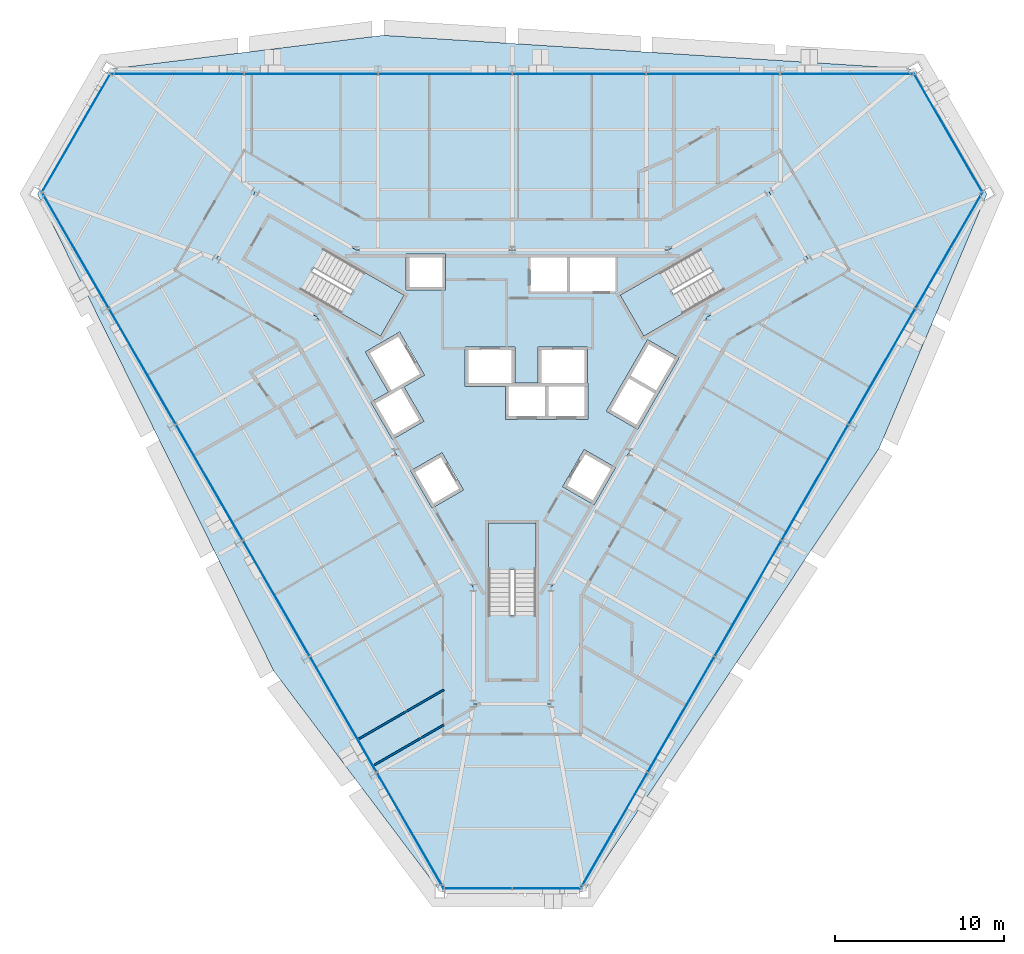
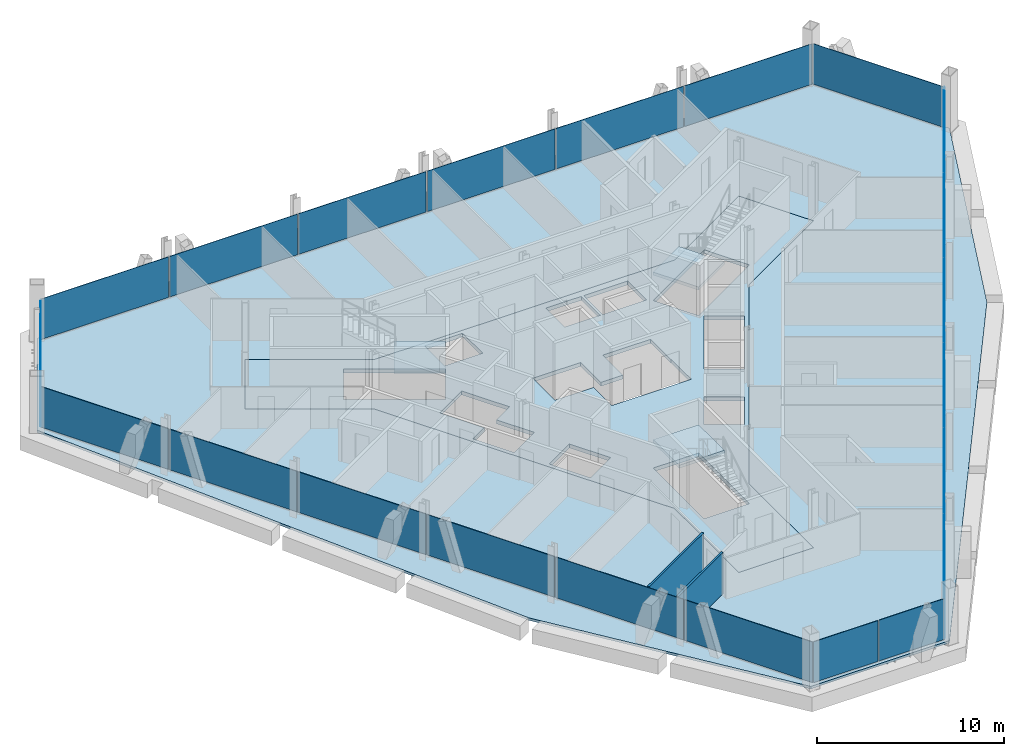
# One storey, part 8 of 14: 22 plates, 5 slabs, 2 walls, 9 elements without a shape of their own.
"""IFC4 building model written with IfcOpenShell, lengths in metres."""

from ifc_helpers import new_model, si_unit, direction, frame, frame_2d, origin, origin_2d, place, context, subcontext, project, spatial, polyline, rectangle, outline, extrude, material, layer, layer_set, type_object, element, aggregate, save


model = new_model("IFC4")

# Units and contexts
model_context = context("Model", 3, precision=1e-05, world=origin(), true_north=direction((0.0, 1.0)))
body_context = subcontext(model_context, "Body", "Model", "MODEL_VIEW")
ifc_project = project(units=[si_unit("LENGTHUNIT", "METRE"), si_unit("AREAUNIT", "SQUARE_METRE"), si_unit("VOLUMEUNIT", "CUBIC_METRE"), si_unit("PLANEANGLEUNIT", "RADIAN"), si_unit("MASSUNIT", "GRAM", prefix="KILO")], contexts=[model_context])

# Site, building, storey
site_placement = place(None, origin())
site = spatial("IfcSite", under=ifc_project, at=site_placement, CompositionType="ELEMENT")
building_placement = place(site_placement, origin())
building = spatial("IfcBuilding", under=site, at=building_placement, Name="Verrane Prism Tower", CompositionType="ELEMENT")
storey_placement = place(building_placement, frame((0.0, 0.0, 193.199951171875)))
storey = spatial("IfcBuildingStorey", under=building, at=storey_placement, Name="L48", CompositionType="ELEMENT", Elevation=193.199951171875)

# Slabs
ifc_material_1 = material(Name="Concrete C35/45", Category="concrete")
ifc_layer_1 = layer(ifc_material_1, 0.159912109375)
ifc_layer_set_1 = layer_set([ifc_layer_1], Name="Composite floor slab")
slab_type_1 = type_object("IfcSlabType", Name="Composite floor slab", PredefinedType="FLOOR", material=ifc_layer_set_1)
slab_1_placement = place(storey_placement, frame((0.0, 0.0, -0.159912109375)))
element("IfcSlab", 1, at=slab_1_placement, inside=storey, type_object=slab_type_1, Name="Floor slab L48", PredefinedType="FLOOR", context=body_context, shape_type="SweptSolid", body=[
    extrude(outline(polyline([(21.75244140625, -3.74365234375), (4.27490234375, -30.015380859375), (-4.27490234375, -30.015380859375), (-14.118408203125, -16.96630859375), (-28.131591796875, 11.305419921875), (-23.856689453125, 18.7099609375), (-7.634033203125, 20.7099609375), (23.856689453125, 18.7099609375), (28.131591796875, 11.305419921875), (21.75244140625, -3.74365234375)]), holes=[polyline([(17.52001953125, 7.4599609375), (15.219970703125, 11.43994140625), (9.260009765625, 8.0), (0.0, 8.0), (-9.260009765625, 8.0), (-15.219970703125, 11.43994140625), (-17.52001953125, 7.4599609375), (-11.56005859375, 4.02001953125), (-6.929931640625, -4.0), (-2.300048828125, -12.02001953125), (-2.300048828125, -18.89990234375), (2.300048828125, -18.89990234375), (2.300048828125, -12.02001953125), (6.929931640625, -4.0), (11.56005859375, 4.02001953125), (17.52001953125, 7.4599609375)])]), origin(), (0.0, 0.0, 1.0), 0.159912109375),
])
ifc_material_2 = material(Name="Concrete C40/50", Category="concrete")
ifc_layer_2 = layer(ifc_material_2, 0.25)
ifc_layer_set_2 = layer_set([ifc_layer_2], Name="Core floor slab 250 concrete C40/50")
slab_type_2 = type_object("IfcSlabType", Name="Core floor slab 250 concrete C40/50", PredefinedType="FLOOR", material=ifc_layer_set_2)
slab_2_placement = place(storey_placement, frame((0.0, 0.0, -0.25)))
element("IfcSlab", 2, at=slab_2_placement, inside=storey, type_object=slab_type_2, Name="Core floor L48", PredefinedType="FLOOR", context=body_context, shape_type="SweptSolid", body=[
    extrude(outline(polyline([(11.56005859375, 4.02001953125), (17.52001953125, 7.4599609375), (15.219970703125, 11.43994140625), (9.260009765625, 8.0), (0.0, 8.0), (-9.260009765625, 8.0), (-15.219970703125, 11.43994140625), (-17.52001953125, 7.4599609375), (-11.56005859375, 4.02001953125), (-6.929931640625, -4.0), (-2.300048828125, -12.02001953125), (-2.300048828125, -18.89990234375), (2.300048828125, -18.89990234375), (2.300048828125, -12.02001953125), (6.929931640625, -4.0), (11.56005859375, 4.02001953125)]), holes=[polyline([(1.39990234375, -8.199951171875), (1.39990234375, -13.639892578125), (-1.39990234375, -13.639892578125), (-1.39990234375, -8.199951171875), (1.39990234375, -8.199951171875)]), polyline([(-2.881103515625, -6.22998046875), (-4.742919921875, -7.304931640625), (-6.01806640625, -5.096923828125), (-4.156005859375, -4.02197265625), (-2.881103515625, -6.22998046875)]), polyline([(-7.801025390625, 2.887939453125), (-12.512939453125, 5.60791015625), (-11.113037109375, 8.031982421875), (-6.40087890625, 5.31201171875), (-7.801025390625, 2.887939453125)]), polyline([(-6.284912109375, 5.610107421875), (-6.284912109375, 7.760009765625), (-3.93505859375, 7.760009765625), (-3.93505859375, 5.610107421875), (-6.284912109375, 5.610107421875)]), polyline([(4.26611328125, -3.8310546875), (6.1279296875, -4.906005859375), (4.85302734375, -7.114990234375), (2.990966796875, -6.0400390625), (4.26611328125, -3.8310546875)]), polyline([(7.43798828125, -2.636962890625), (5.575927734375, -1.56201171875), (8.02587890625, 2.680908203125), (9.887939453125, 1.60595703125), (7.43798828125, -2.636962890625)]), polyline([(0.1650390625, 0.10009765625), (1.52490234375, 0.10009765625), (1.52490234375, 2.25), (4.47509765625, 2.25), (4.47509765625, 0.10009765625), (4.4951171875, 0.10009765625), (4.4951171875, -2.050048828125), (-0.405029296875, -2.050048828125), (-0.405029296875, -0.10009765625), (-2.784912109375, -0.10009765625), (-2.784912109375, 2.25), (0.1650390625, 2.25), (0.1650390625, 0.10009765625)]), polyline([(6.40087890625, 5.31201171875), (11.113037109375, 8.031982421875), (12.512939453125, 5.60791015625), (7.801025390625, 2.887939453125), (6.40087890625, 5.31201171875)]), polyline([(1.074951171875, 5.534912109375), (1.074951171875, 7.56005859375), (3.264892578125, 7.56005859375), (3.264892578125, 5.534912109375), (1.074951171875, 5.534912109375)]), polyline([(3.4150390625, 7.56005859375), (6.125, 7.56005859375), (6.125, 5.534912109375), (3.4150390625, 5.534912109375), (3.4150390625, 7.56005859375)]), polyline([(-5.23095703125, -2.159912109375), (-7.093017578125, -3.235107421875), (-8.367919921875, -1.02587890625), (-7.3291015625, -0.426025390625), (-8.7041015625, 1.955078125), (-6.66796875, 3.1298828125), (-5.193115234375, 0.574951171875), (-6.406005859375, -0.125), (-5.23095703125, -2.159912109375)])]), origin(), (0.0, 0.0, 1.0), 0.25),
])

# Curtain wall, plates
ifc_material_3 = material(Name="Aluminium framed insulated glazing", Category="aluminium")
curtain_wall_type_1 = type_object("IfcCurtainWallType", Name="Curtain wall CW-C 4200 module", PredefinedType="NOTDEFINED", material=ifc_material_3)
curtain_wall_1_placement = place(storey_placement, origin())
curtain_wall_1 = element("IfcCurtainWall", 3, at=curtain_wall_1_placement, inside=storey, type_object=curtain_wall_type_1, Name="Glazed curtain wall south corner L48", PredefinedType="NOTDEFINED")
ifc_material_4 = material(Name="Low-iron insulating glass unit", Category="glass")
ifc_layer_3 = layer(ifc_material_4, 0.02392578125)
ifc_layer_set_3 = layer_set([ifc_layer_3], Name="Glazing panel IGU 24")
plate_type_1 = type_object("IfcPlateType", Name="Glazing panel IGU 24", PredefinedType="CURTAIN_PANEL", material=ifc_layer_set_3)
plate_1_placement = place(storey_placement, frame((-2.01513671875, -29.838134765625, 0.05029296875), z_axis=(0.0, 0.0, 1.0), x_axis=(1.0, 0.0, 0.0)))
plate_1 = element("IfcPlate", 4, at=plate_1_placement, type_object=plate_type_1, Name="CW47.5 panel 1", PredefinedType="CURTAIN_PANEL", context=body_context, shape_type="SweptSolid", body=[
    extrude(rectangle(XDim=3.980224609375, YDim=0.02392578125, at=origin_2d()), origin(), (0.0, 0.0, 1.0), 2.662841796875),
])
plate_2_placement = place(storey_placement, frame((2.0400390625, -29.838134765625, 0.05029296875), z_axis=(0.0, 0.0, 1.0), x_axis=(1.0, 0.0, 0.0)))
plate_2 = element("IfcPlate", 5, at=plate_2_placement, type_object=plate_type_1, Name="CW47.5 panel 2", PredefinedType="CURTAIN_PANEL", context=body_context, shape_type="SweptSolid", body=[
    extrude(rectangle(XDim=4.0302734375, YDim=0.02392578125, at=origin_2d()), origin(), (0.0, 0.0, 1.0), 2.662841796875),
])
aggregate(curtain_wall_1, [plate_1, plate_2])

# Curtain wall, plate
ifc_material_5 = material(Name="Aluminium framed insulated glazing", Category="aluminium")
curtain_wall_type_2 = type_object("IfcCurtainWallType", Name="Curtain wall CW-B 5600 module", PredefinedType="NOTDEFINED", material=ifc_material_5)
curtain_wall_2_placement = place(storey_placement, origin())
curtain_wall_2 = element("IfcCurtainWall", 6, at=curtain_wall_2_placement, inside=storey, type_object=curtain_wall_type_2, Name="Glazed curtain wall north-west corner L48", PredefinedType="NOTDEFINED")
ifc_material_6 = material(Name="Low-iron insulating glass unit", Category="glass")
ifc_layer_4 = layer(ifc_material_6, 0.028076171875)
ifc_layer_set_4 = layer_set([ifc_layer_4], Name="Glazing panel IGU 28")
plate_type_2 = type_object("IfcPlateType", Name="Glazing panel IGU 28", PredefinedType="CURTAIN_PANEL", material=ifc_layer_set_4)
plate_3_placement = place(storey_placement, frame((-25.85546875, 14.89306640625, 0.06005859375), z_axis=(0.0, 0.0, 1.0), x_axis=(-0.500004572218, -0.866022763997, 0.0)))
plate_3 = element("IfcPlate", 7, at=plate_3_placement, type_object=plate_type_2, Name="CW47.3 panel 1", PredefinedType="CURTAIN_PANEL", context=body_context, shape_type="SweptSolid", body=[
    extrude(rectangle(XDim=8.050537109375, YDim=0.028076171875, at=origin_2d()), origin(), (0.0, 0.0, 1.0), 2.65283203125),
])
aggregate(curtain_wall_2, [plate_3])

ifc_material_7 = material(Name="Aluminium framed insulated glazing", Category="aluminium")
curtain_wall_type_3 = type_object("IfcCurtainWallType", Name="Curtain wall CW-A 8400 module", PredefinedType="NOTDEFINED", material=ifc_material_7)
curtain_wall_3_placement = place(storey_placement, origin())
curtain_wall_3 = element("IfcCurtainWall", 8, at=curtain_wall_3_placement, inside=storey, type_object=curtain_wall_type_3, Name="Glazed curtain wall north-east corner L48", PredefinedType="NOTDEFINED")
ifc_material_8 = material(Name="Low-iron insulating glass unit", Category="glass")
ifc_layer_5 = layer(ifc_material_8, 0.031982421875)
ifc_layer_set_5 = layer_set([ifc_layer_5], Name="Glazing panel IGU 32")
plate_type_3 = type_object("IfcPlateType", Name="Glazing panel IGU 32", PredefinedType="CURTAIN_PANEL", material=ifc_layer_set_5)
plate_4_placement = place(storey_placement, frame((25.822998046875, 14.949462890625, 0.0703125), z_axis=(0.0, 0.0, 1.0), x_axis=(-0.500004572218, 0.866022763997, 0.0)))
plate_4 = element("IfcPlate", 9, at=plate_4_placement, type_object=plate_type_3, Name="CW47.1 panel 1", PredefinedType="CURTAIN_PANEL", context=body_context, shape_type="SweptSolid", body=[
    extrude(rectangle(XDim=8.04052734375, YDim=0.031982421875, at=origin_2d()), origin(), (0.0, 0.0, 1.0), 2.642822265625),
])
aggregate(curtain_wall_3, [plate_4])

# Curtain wall, plates
curtain_wall_4_placement = place(storey_placement, origin())
curtain_wall_4 = element("IfcCurtainWall", 10, at=curtain_wall_4_placement, inside=storey, type_object=curtain_wall_type_3, Name="Glazed curtain wall north face L48", PredefinedType="NOTDEFINED")
plate_5_placement = place(storey_placement, frame((19.82666015625, 18.430908203125, 0.0703125), z_axis=(0.0, 0.0, 1.0), x_axis=(-1.0, 0.0, 0.0)))
plate_5 = element("IfcPlate", 11, at=plate_5_placement, type_object=plate_type_3, Name="CW47.2 panel 1", PredefinedType="CURTAIN_PANEL", context=body_context, shape_type="SweptSolid", body=[
    extrude(rectangle(XDim=7.83251953125, YDim=0.031982421875, at=origin_2d()), origin(), (0.0, 0.0, 1.0), 2.642822265625),
])
plate_6_placement = place(storey_placement, frame((11.906494140625, 18.430908203125, 0.0703125), z_axis=(0.0, 0.0, 1.0), x_axis=(-1.0, 0.0, 0.0)))
plate_6 = element("IfcPlate", 12, at=plate_6_placement, type_object=plate_type_3, Name="CW47.2 panel 2", PredefinedType="CURTAIN_PANEL", context=body_context, shape_type="SweptSolid", body=[
    extrude(rectangle(XDim=7.86767578125, YDim=0.031982421875, at=origin_2d()), origin(), (0.0, 0.0, 1.0), 2.642822265625),
])
plate_7_placement = place(storey_placement, frame((3.96875, 18.430908203125, 0.0703125), z_axis=(0.0, 0.0, 1.0), x_axis=(-1.0, 0.0, 0.0)))
plate_7 = element("IfcPlate", 13, at=plate_7_placement, type_object=plate_type_3, Name="CW47.2 panel 3", PredefinedType="CURTAIN_PANEL", context=body_context, shape_type="SweptSolid", body=[
    extrude(rectangle(XDim=7.86767578125, YDim=0.031982421875, at=origin_2d()), origin(), (0.0, 0.0, 1.0), 2.642822265625),
])
plate_8_placement = place(storey_placement, frame((-3.96875, 18.430908203125, 0.0703125), z_axis=(0.0, 0.0, 1.0), x_axis=(-1.0, 0.0, 0.0)))
plate_8 = element("IfcPlate", 14, at=plate_8_placement, type_object=plate_type_3, Name="CW47.2 panel 4", PredefinedType="CURTAIN_PANEL", context=body_context, shape_type="SweptSolid", body=[
    extrude(rectangle(XDim=7.86767578125, YDim=0.031982421875, at=origin_2d()), origin(), (0.0, 0.0, 1.0), 2.642822265625),
])
plate_9_placement = place(storey_placement, frame((-11.906494140625, 18.430908203125, 0.0703125), z_axis=(0.0, 0.0, 1.0), x_axis=(-1.0, 0.0, 0.0)))
plate_9 = element("IfcPlate", 15, at=plate_9_placement, type_object=plate_type_3, Name="CW47.2 panel 5", PredefinedType="CURTAIN_PANEL", context=body_context, shape_type="SweptSolid", body=[
    extrude(rectangle(XDim=7.86767578125, YDim=0.031982421875, at=origin_2d()), origin(), (0.0, 0.0, 1.0), 2.642822265625),
])
plate_10_placement = place(storey_placement, frame((-19.861572265625, 18.430908203125, 0.0703125), z_axis=(0.0, 0.0, 1.0), x_axis=(-1.0, 0.0, 0.0)))
plate_10 = element("IfcPlate", 16, at=plate_10_placement, type_object=plate_type_3, Name="CW47.2 panel 6", PredefinedType="CURTAIN_PANEL", context=body_context, shape_type="SweptSolid", body=[
    extrude(rectangle(XDim=7.902587890625, YDim=0.031982421875, at=origin_2d()), origin(), (0.0, 0.0, 1.0), 2.642822265625),
])
aggregate(curtain_wall_4, [plate_5, plate_6, plate_7, plate_8, plate_9, plate_10])

curtain_wall_5_placement = place(storey_placement, origin())
curtain_wall_5 = element("IfcCurtainWall", 17, at=curtain_wall_5_placement, inside=storey, type_object=curtain_wall_type_3, Name="Glazed curtain wall south-west face L48", PredefinedType="NOTDEFINED")
plate_11_placement = place(storey_placement, frame((-25.875, 7.954833984375, 0.0703125), z_axis=(0.0, 0.0, 1.0), x_axis=(0.499999569721, -0.866025652206, 0.0)))
plate_11 = element("IfcPlate", 18, at=plate_11_placement, type_object=plate_type_3, Name="CW47.4 panel 1", PredefinedType="CURTAIN_PANEL", context=body_context, shape_type="SweptSolid", body=[
    extrude(rectangle(XDim=7.83251953125, YDim=0.031982421875, at=origin_2d()), origin(), (0.0, 0.0, 1.0), 2.642822265625),
])
plate_12_placement = place(storey_placement, frame((-21.9150390625, 1.095703125, 0.0703125), z_axis=(0.0, 0.0, 1.0), x_axis=(0.499999569721, -0.866025652206, 0.0)))
plate_12 = element("IfcPlate", 19, at=plate_12_placement, type_object=plate_type_3, Name="CW47.4 panel 2", PredefinedType="CURTAIN_PANEL", context=body_context, shape_type="SweptSolid", body=[
    extrude(rectangle(XDim=7.86767578125, YDim=0.031982421875, at=origin_2d()), origin(), (0.0, 0.0, 1.0), 2.642822265625),
])
plate_13_placement = place(storey_placement, frame((-17.946044921875, -5.7783203125, 0.0703125), z_axis=(0.0, 0.0, 1.0), x_axis=(0.499999569721, -0.866025652206, 0.0)))
plate_13 = element("IfcPlate", 20, at=plate_13_placement, type_object=plate_type_3, Name="CW47.4 panel 3", PredefinedType="CURTAIN_PANEL", context=body_context, shape_type="SweptSolid", body=[
    extrude(rectangle(XDim=7.86767578125, YDim=0.031982421875, at=origin_2d()), origin(), (0.0, 0.0, 1.0), 2.642822265625),
])
plate_14_placement = place(storey_placement, frame((-13.977294921875, -12.652587890625, 0.0703125), z_axis=(0.0, 0.0, 1.0), x_axis=(0.499999569721, -0.866025652206, 0.0)))
plate_14 = element("IfcPlate", 21, at=plate_14_placement, type_object=plate_type_3, Name="CW47.4 panel 4", PredefinedType="CURTAIN_PANEL", context=body_context, shape_type="SweptSolid", body=[
    extrude(rectangle(XDim=7.86767578125, YDim=0.031982421875, at=origin_2d()), origin(), (0.0, 0.0, 1.0), 2.642822265625),
])
plate_15_placement = place(storey_placement, frame((-10.008544921875, -19.52685546875, 0.0703125), z_axis=(0.0, 0.0, 1.0), x_axis=(0.499999569721, -0.866025652206, 0.0)))
plate_15 = element("IfcPlate", 22, at=plate_15_placement, type_object=plate_type_3, Name="CW47.4 panel 5", PredefinedType="CURTAIN_PANEL", context=body_context, shape_type="SweptSolid", body=[
    extrude(rectangle(XDim=7.86767578125, YDim=0.031982421875, at=origin_2d()), origin(), (0.0, 0.0, 1.0), 2.642822265625),
])
plate_16_placement = place(storey_placement, frame((-6.031005859375, -26.416259765625, 0.0703125), z_axis=(0.0, 0.0, 1.0), x_axis=(0.499999569721, -0.866025652206, 0.0)))
plate_16 = element("IfcPlate", 23, at=plate_16_placement, type_object=plate_type_3, Name="CW47.4 panel 6", PredefinedType="CURTAIN_PANEL", context=body_context, shape_type="SweptSolid", body=[
    extrude(rectangle(XDim=7.902587890625, YDim=0.031982421875, at=origin_2d()), origin(), (0.0, 0.0, 1.0), 2.642822265625),
])
aggregate(curtain_wall_5, [plate_11, plate_12, plate_13, plate_14, plate_15, plate_16])

curtain_wall_6_placement = place(storey_placement, origin())
curtain_wall_6 = element("IfcCurtainWall", 24, at=curtain_wall_6_placement, inside=storey, type_object=curtain_wall_type_3, Name="Glazed curtain wall south-east face L48", PredefinedType="NOTDEFINED")
plate_17_placement = place(storey_placement, frame((6.04833984375, -26.3857421875, 0.0703125), z_axis=(0.0, 0.0, 1.0), x_axis=(0.499999569721, 0.866025652206, 0.0)))
plate_17 = element("IfcPlate", 25, at=plate_17_placement, type_object=plate_type_3, Name="CW47.6 panel 1", PredefinedType="CURTAIN_PANEL", context=body_context, shape_type="SweptSolid", body=[
    extrude(rectangle(XDim=7.83251953125, YDim=0.031982421875, at=origin_2d()), origin(), (0.0, 0.0, 1.0), 2.642822265625),
])
plate_18_placement = place(storey_placement, frame((10.008544921875, -19.52685546875, 0.0703125), z_axis=(0.0, 0.0, 1.0), x_axis=(0.499999569721, 0.866025652206, 0.0)))
plate_18 = element("IfcPlate", 26, at=plate_18_placement, type_object=plate_type_3, Name="CW47.6 panel 2", PredefinedType="CURTAIN_PANEL", context=body_context, shape_type="SweptSolid", body=[
    extrude(rectangle(XDim=7.86767578125, YDim=0.031982421875, at=origin_2d()), origin(), (0.0, 0.0, 1.0), 2.642822265625),
])
plate_19_placement = place(storey_placement, frame((13.977294921875, -12.652587890625, 0.0703125), z_axis=(0.0, 0.0, 1.0), x_axis=(0.499999569721, 0.866025652206, 0.0)))
plate_19 = element("IfcPlate", 27, at=plate_19_placement, type_object=plate_type_3, Name="CW47.6 panel 3", PredefinedType="CURTAIN_PANEL", context=body_context, shape_type="SweptSolid", body=[
    extrude(rectangle(XDim=7.86767578125, YDim=0.031982421875, at=origin_2d()), origin(), (0.0, 0.0, 1.0), 2.642822265625),
])
plate_20_placement = place(storey_placement, frame((17.946044921875, -5.7783203125, 0.0703125), z_axis=(0.0, 0.0, 1.0), x_axis=(0.499999569721, 0.866025652206, 0.0)))
plate_20 = element("IfcPlate", 28, at=plate_20_placement, type_object=plate_type_3, Name="CW47.6 panel 4", PredefinedType="CURTAIN_PANEL", context=body_context, shape_type="SweptSolid", body=[
    extrude(rectangle(XDim=7.86767578125, YDim=0.031982421875, at=origin_2d()), origin(), (0.0, 0.0, 1.0), 2.642822265625),
])
plate_21_placement = place(storey_placement, frame((21.9150390625, 1.095703125, 0.0703125), z_axis=(0.0, 0.0, 1.0), x_axis=(0.499999569721, 0.866025652206, 0.0)))
plate_21 = element("IfcPlate", 29, at=plate_21_placement, type_object=plate_type_3, Name="CW47.6 panel 5", PredefinedType="CURTAIN_PANEL", context=body_context, shape_type="SweptSolid", body=[
    extrude(rectangle(XDim=7.86767578125, YDim=0.031982421875, at=origin_2d()), origin(), (0.0, 0.0, 1.0), 2.642822265625),
])
plate_22_placement = place(storey_placement, frame((25.892578125, 7.985107421875, 0.0703125), z_axis=(0.0, 0.0, 1.0), x_axis=(0.499999569721, 0.866025652206, 0.0)))
plate_22 = element("IfcPlate", 30, at=plate_22_placement, type_object=plate_type_3, Name="CW47.6 panel 6", PredefinedType="CURTAIN_PANEL", context=body_context, shape_type="SweptSolid", body=[
    extrude(rectangle(XDim=7.902587890625, YDim=0.031982421875, at=origin_2d()), origin(), (0.0, 0.0, 1.0), 2.642822265625),
])
aggregate(curtain_wall_6, [plate_17, plate_18, plate_19, plate_20, plate_21, plate_22])

# Stair, slab
ifc_material_9 = material(Name="Concrete C40/50", Category="concrete")
stair_type = type_object("IfcStairType", Name="Exit stair 1300 dog-leg precast concrete C40/50", PredefinedType="HALF_TURN_STAIR", material=ifc_material_9)
stair_1_placement = place(storey_placement, origin())
stair_1 = element("IfcStair", 31, at=stair_1_placement, inside=storey, type_object=stair_type, Name="Stair 1 L48", PredefinedType="HALF_TURN_STAIR")
ifc_material_10 = material(Name="Concrete C40/50", Category="concrete")
ifc_layer_6 = layer(ifc_material_10, 0.199951171875)
ifc_layer_set_6 = layer_set([ifc_layer_6], Name="Stair landing 200 precast concrete C40/50")
slab_type_3 = type_object("IfcSlabType", Name="Stair landing 200 precast concrete C40/50", PredefinedType="LANDING", material=ifc_layer_set_6)
slab_3_placement = place(storey_placement, frame((0.0, 0.0, 1.650146484375)))
slab_3 = element("IfcSlab", 32, at=slab_3_placement, type_object=slab_type_3, Name="Stair 1 landing 1", PredefinedType="LANDING", context=body_context, shape_type="SweptSolid", body=[
    extrude(outline(polyline([(8.791748046875, 6.6923828125), (6.4013671875, 5.3125), (7.801513671875, 2.887451171875), (10.191650390625, 4.267578125), (8.791748046875, 6.6923828125)])), origin(), (0.0, 0.0, 1.0), 0.199951171875),
])
aggregate(stair_1, [slab_3])

stair_2_placement = place(storey_placement, origin())
stair_2 = element("IfcStair", 33, at=stair_2_placement, inside=storey, type_object=stair_type, Name="Stair 2 L48", PredefinedType="HALF_TURN_STAIR")
slab_4_placement = place(storey_placement, frame((0.0, 0.0, 1.650146484375)))
slab_4 = element("IfcSlab", 34, at=slab_4_placement, type_object=slab_type_3, Name="Stair 2 landing 1", PredefinedType="LANDING", context=body_context, shape_type="SweptSolid", body=[
    extrude(outline(polyline([(-10.191650390625, 4.267578125), (-7.801513671875, 2.887451171875), (-6.4013671875, 5.3125), (-8.791748046875, 6.6923828125), (-10.191650390625, 4.267578125)])), origin(), (0.0, 0.0, 1.0), 0.199951171875),
])
aggregate(stair_2, [slab_4])

stair_3_placement = place(storey_placement, origin())
stair_3 = element("IfcStair", 35, at=stair_3_placement, inside=storey, type_object=stair_type, Name="Stair 3 L48", PredefinedType="HALF_TURN_STAIR")
slab_5_placement = place(storey_placement, frame((0.0, 0.0, 1.650146484375)))
slab_5 = element("IfcSlab", 36, at=slab_5_placement, type_object=slab_type_3, Name="Stair 3 landing 1", PredefinedType="LANDING", context=body_context, shape_type="SweptSolid", body=[
    extrude(outline(polyline([(1.39990234375, -10.9599609375), (1.39990234375, -8.199951171875), (-1.39990234375, -8.199951171875), (-1.39990234375, -10.9599609375), (1.39990234375, -10.9599609375)])), origin(), (0.0, 0.0, 1.0), 0.199951171875),
])
aggregate(stair_3, [slab_5])

# Walls
ifc_material_11 = material(Name="Gypsum board partition", Category="other")
ifc_layer_7 = layer(ifc_material_11, 0.125)
ifc_layer_set_7 = layer_set([ifc_layer_7], Name="PW-125 corridor wall 1 h")
wall_type = type_object("IfcWallType", Name="PW-125 corridor wall 1 h", PredefinedType="PARTITIONING", material=ifc_layer_set_7)
wall_1_placement = place(storey_placement, frame((-9.065673828125, -20.968017578125, 0.0), z_axis=(0.0, 0.0, 1.0), x_axis=(0.866023559602, 0.500003194204, 0.0)))
element("IfcWall", 37, at=wall_1_placement, inside=storey, type_object=wall_type, Name="Corridor wall 017", PredefinedType="PARTITIONING", context=body_context, shape_type="SweptSolid", body=[
    extrude(rectangle(XDim=5.79638671875, YDim=0.125, at=frame_2d((2.898193359375, 0.0))), origin(), (0.0, 0.0, 1.0), 2.713134765625),
])
wall_2_placement = place(storey_placement, frame((-8.165771484375, -22.527099609375, 0.0), z_axis=(0.0, 0.0, 1.0), x_axis=(0.866042865666, 0.499969753915, 0.0)))
element("IfcWall", 38, at=wall_2_placement, inside=storey, type_object=wall_type, Name="Corridor wall 019", PredefinedType="PARTITIONING", context=body_context, shape_type="SweptSolid", body=[
    extrude(rectangle(XDim=4.757080078125, YDim=0.125, at=frame_2d((2.37841796875, 0.0))), origin(), (0.0, 0.0, 1.0), 2.713134765625),
])

save(model, "model.ifc")
